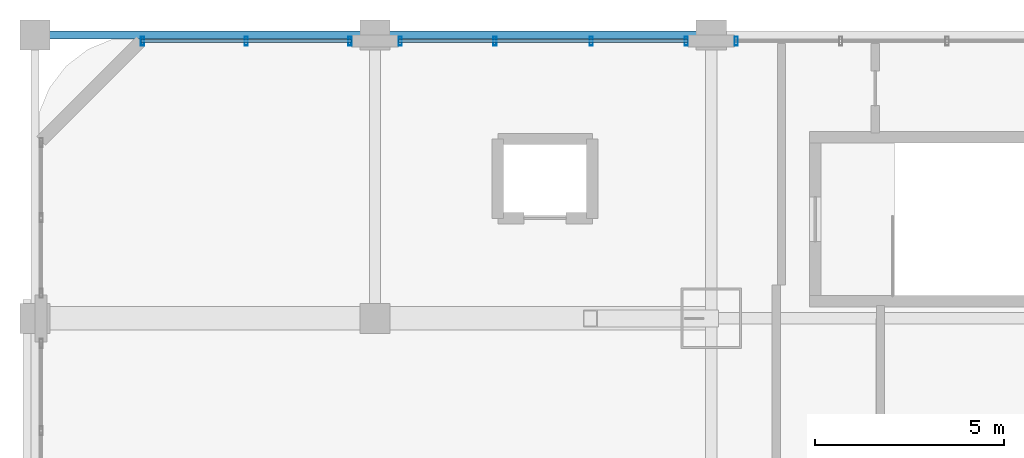
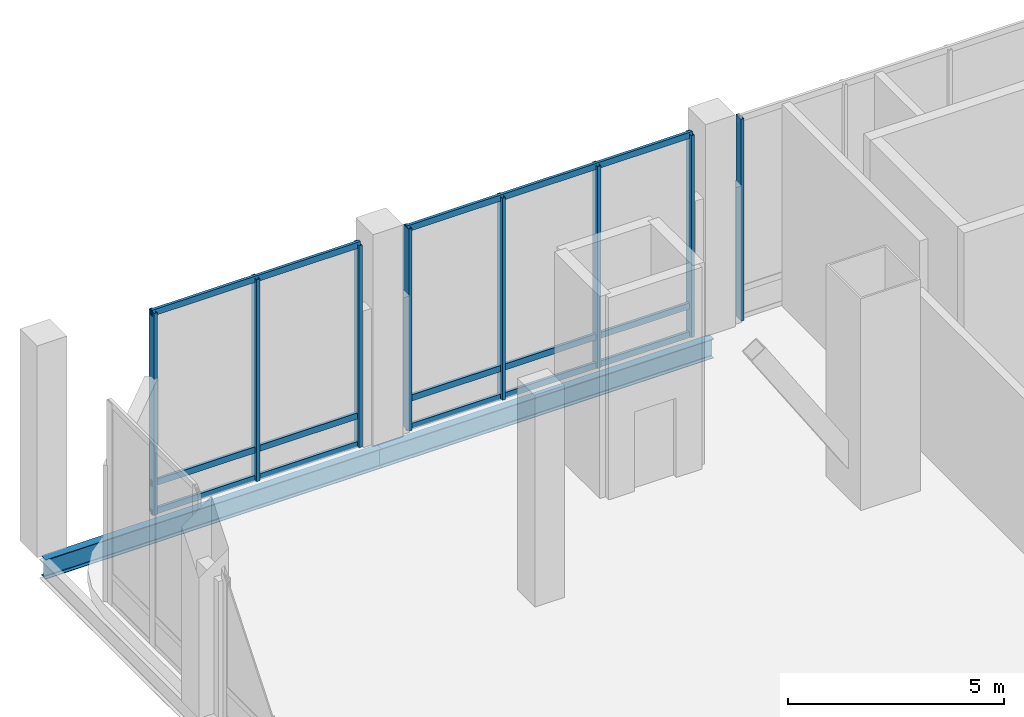
# One storey, part 13 of 38: 14 members, 2 beams, 3 elements without a shape of their own.
"""IFC4 building model written with IfcOpenShell, lengths in metres."""

from ifc_helpers import new_model, si_unit, direction, frame, origin, origin_2d, place, context, subcontext, project, spatial, hollow_rectangle, i_section, extrude, material, material_profile, profile_set, type_object, element, aggregate, save


model = new_model("IFC4")

# Units and contexts
model_context = context("Model", 3, precision=1e-05, world=origin(), true_north=direction((0.0, 1.0)))
body_context = subcontext(model_context, "Body", "Model", "MODEL_VIEW")
ifc_project = project(units=[si_unit("LENGTHUNIT", "METRE"), si_unit("AREAUNIT", "SQUARE_METRE"), si_unit("VOLUMEUNIT", "CUBIC_METRE"), si_unit("PLANEANGLEUNIT", "RADIAN"), si_unit("MASSUNIT", "GRAM", prefix="KILO")], contexts=[model_context])

# Site, building, storey
site_placement = place(None, origin())
site = spatial("IfcSite", under=ifc_project, at=site_placement, CompositionType="ELEMENT")
building_placement = place(site_placement, origin())
building = spatial("IfcBuilding", under=site, at=building_placement, Name="Punatoya Terracotta Tower", CompositionType="ELEMENT")
storey_placement = place(building_placement, frame((0.0, 0.0, 22.199951171875)))
storey = spatial("IfcBuildingStorey", under=building, at=storey_placement, Name="L04", CompositionType="ELEMENT", Elevation=22.199951171875)

# Beams
ifc_material_1 = material(Name="Steel S355", Category="steel")
ifc_material_profile_1 = material_profile(ifc_material_1, i_section(OverallWidth=0.2099609375, OverallDepth=0.550048828125, WebThickness=0.010986328125, FlangeThickness=0.01708984375, FilletRadius=0.01806640625, at=origin_2d()))
ifc_profile_set_1 = profile_set([ifc_material_profile_1], Name="Steel S355")
beam_type = type_object("IfcBeamType", Name="BM-SPN-550", PredefinedType="SPANDREL", material=ifc_profile_set_1)
beam_1_placement = place(storey_placement, frame((-37.0, 25.0, -0.655029296875), z_axis=(1.0, 0.0, 0.0), x_axis=(0.0, 1.0, 0.0)))
element("IfcBeam", 1, at=beam_1_placement, inside=storey, type_object=beam_type, Name="BM-L04-HW1", PredefinedType="SPANDREL", context=body_context, shape_type="SweptSolid", body=[
    extrude(i_section(OverallWidth=0.2099609375, OverallDepth=0.550048828125, WebThickness=0.010986328125, FlangeThickness=0.01708984375, FilletRadius=0.01806640625, at=origin_2d()), origin(), (0.0, 0.0, 1.0), 9.0),
])
beam_2_placement = place(storey_placement, frame((-28.0, 25.0, -0.655029296875), z_axis=(1.0, 0.0, 0.0), x_axis=(0.0, 1.0, 0.0)))
element("IfcBeam", 2, at=beam_2_placement, inside=storey, type_object=beam_type, Name="BM-L04-HW2", PredefinedType="SPANDREL", context=body_context, shape_type="SweptSolid", body=[
    extrude(i_section(OverallWidth=0.2099609375, OverallDepth=0.550048828125, WebThickness=0.010986328125, FlangeThickness=0.01708984375, FilletRadius=0.01806640625, at=origin_2d()), origin(), (0.0, 0.0, 1.0), 8.89990234375),
])

# Curtain wall, members
ifc_material_2 = material(Name="Aluminium 6063-T6 + Double Low-E Glass", Category="aluminium")
curtain_wall_type = type_object("IfcCurtainWallType", Name="CW-POD", PredefinedType="NOTDEFINED", material=ifc_material_2)
curtain_wall_1_placement = place(storey_placement, origin())
curtain_wall_1 = element("IfcCurtainWall", 3, at=curtain_wall_1_placement, inside=storey, type_object=curtain_wall_type, Name="L04 Curtain Wall CWP-L04-N1", PredefinedType="NOTDEFINED")
ifc_material_3 = material(Name="Aluminium 6063-T6", Category="aluminium")
ifc_material_profile_2 = material_profile(ifc_material_3, hollow_rectangle(XDim=0.0849609375, YDim=0.239990234375, WallThickness=0.0048828125, at=origin_2d()))
ifc_profile_set_2 = profile_set([ifc_material_profile_2], Name="Aluminium 6063-T6")
member_type_1 = type_object("IfcMemberType", Name="CW-MUL-POD", PredefinedType="MULLION", material=ifc_profile_set_2)
member_1_placement = place(storey_placement, frame((-28.6650390625, 24.840087890625, 0.0), z_axis=(0.0, 0.0, 1.0), x_axis=(1.0, 0.0, 0.0)))
member_1 = element("IfcMember", 4, at=member_1_placement, type_object=member_type_1, Name="CWP-L04-N1 Mullion 00", PredefinedType="MULLION", context=body_context, shape_type="SweptSolid", body=[
    extrude(hollow_rectangle(XDim=0.0849609375, YDim=0.239990234375, WallThickness=0.0048828125, at=origin_2d()), origin(), (0.0, 0.0, 1.0), 5.719970703125),
])
member_2_placement = place(storey_placement, frame((-31.409912109375, 24.840087890625, 0.0), z_axis=(0.0, 0.0, 1.0), x_axis=(1.0, 0.0, 0.0)))
member_2 = element("IfcMember", 5, at=member_2_placement, type_object=member_type_1, Name="CWP-L04-N1 Mullion 01", PredefinedType="MULLION", context=body_context, shape_type="SweptSolid", body=[
    extrude(hollow_rectangle(XDim=0.0849609375, YDim=0.239990234375, WallThickness=0.0048828125, at=origin_2d()), origin(), (0.0, 0.0, 1.0), 5.719970703125),
])
member_3_placement = place(storey_placement, frame((-34.155029296875, 24.840087890625, 0.0), z_axis=(0.0, 0.0, 1.0), x_axis=(1.0, 0.0, 0.0)))
member_3 = element("IfcMember", 6, at=member_3_placement, type_object=member_type_1, Name="CWP-L04-N1 Mullion 02", PredefinedType="MULLION", context=body_context, shape_type="SweptSolid", body=[
    extrude(hollow_rectangle(XDim=0.0849609375, YDim=0.239990234375, WallThickness=0.0048828125, at=origin_2d()), origin(), (0.0, 0.0, 1.0), 5.719970703125),
])

curtain_wall_2_placement = place(storey_placement, origin())
curtain_wall_2 = element("IfcCurtainWall", 7, at=curtain_wall_2_placement, inside=storey, type_object=curtain_wall_type, Name="L04 Curtain Wall CWP-L04-N2", PredefinedType="NOTDEFINED")
member_4_placement = place(storey_placement, frame((-19.764892578125, 24.840087890625, 0.0), z_axis=(0.0, 0.0, 1.0), x_axis=(1.0, 0.0, 0.0)))
member_4 = element("IfcMember", 8, at=member_4_placement, type_object=member_type_1, Name="CWP-L04-N2 Mullion 00", PredefinedType="MULLION", context=body_context, shape_type="SweptSolid", body=[
    extrude(hollow_rectangle(XDim=0.0849609375, YDim=0.239990234375, WallThickness=0.0048828125, at=origin_2d()), origin(), (0.0, 0.0, 1.0), 5.719970703125),
])
member_5_placement = place(storey_placement, frame((-22.273193359375, 24.840087890625, 0.0), z_axis=(0.0, 0.0, 1.0), x_axis=(1.0, 0.0, 0.0)))
member_5 = element("IfcMember", 9, at=member_5_placement, type_object=member_type_1, Name="CWP-L04-N2 Mullion 01", PredefinedType="MULLION", context=body_context, shape_type="SweptSolid", body=[
    extrude(hollow_rectangle(XDim=0.0849609375, YDim=0.239990234375, WallThickness=0.0048828125, at=origin_2d()), origin(), (0.0, 0.0, 1.0), 5.719970703125),
])
member_6_placement = place(storey_placement, frame((-24.82666015625, 24.840087890625, 0.0), z_axis=(0.0, 0.0, 1.0), x_axis=(1.0, 0.0, 0.0)))
member_6 = element("IfcMember", 10, at=member_6_placement, type_object=member_type_1, Name="CWP-L04-N2 Mullion 02", PredefinedType="MULLION", context=body_context, shape_type="SweptSolid", body=[
    extrude(hollow_rectangle(XDim=0.0849609375, YDim=0.239990234375, WallThickness=0.0048828125, at=origin_2d()), origin(), (0.0, 0.0, 1.0), 5.719970703125),
])
member_7_placement = place(storey_placement, frame((-27.3349609375, 24.840087890625, 0.0), z_axis=(0.0, 0.0, 1.0), x_axis=(1.0, 0.0, 0.0)))
member_7 = element("IfcMember", 11, at=member_7_placement, type_object=member_type_1, Name="CWP-L04-N2 Mullion 03", PredefinedType="MULLION", context=body_context, shape_type="SweptSolid", body=[
    extrude(hollow_rectangle(XDim=0.0849609375, YDim=0.239990234375, WallThickness=0.0048828125, at=origin_2d()), origin(), (0.0, 0.0, 1.0), 5.719970703125),
])

# Curtain wall, member
curtain_wall_3_placement = place(storey_placement, origin())
curtain_wall_3 = element("IfcCurtainWall", 12, at=curtain_wall_3_placement, inside=storey, type_object=curtain_wall_type, Name="L04 Curtain Wall CWP-L04-N3", PredefinedType="NOTDEFINED")
member_8_placement = place(storey_placement, frame((-18.43505859375, 24.840087890625, 0.0), z_axis=(0.0, 0.0, 1.0), x_axis=(1.0, 0.0, 0.0)))
member_8 = element("IfcMember", 13, at=member_8_placement, type_object=member_type_1, Name="CWP-L04-N3 Mullion 05", PredefinedType="MULLION", context=body_context, shape_type="SweptSolid", body=[
    extrude(hollow_rectangle(XDim=0.0849609375, YDim=0.239990234375, WallThickness=0.0048828125, at=origin_2d()), origin(), (0.0, 0.0, 1.0), 5.719970703125),
])
aggregate(curtain_wall_3, [member_8])

# Member
ifc_material_profile_3 = material_profile(ifc_material_3, hollow_rectangle(XDim=0.074951171875, YDim=0.175048828125, WallThickness=0.00439453125, at=origin_2d()))
ifc_profile_set_3 = profile_set([ifc_material_profile_3], Name="Aluminium 6063-T6")
member_type_2 = type_object("IfcMemberType", Name="CW-TRN-POD", PredefinedType="USERDEFINED", material=ifc_profile_set_3)
member_9_placement = place(storey_placement, frame((-28.6201171875, 24.840087890625, 0.0400390625), z_axis=(-1.0, 0.0, 0.0), x_axis=(0.0, -1.0, 0.0)))
member_9 = element("IfcMember", 14, at=member_9_placement, type_object=member_type_2, Name="CWP-L04-N1 Transom 1", ObjectType="TRANSOM", PredefinedType="USERDEFINED", context=body_context, shape_type="SweptSolid", body=[
    extrude(hollow_rectangle(XDim=0.074951171875, YDim=0.175048828125, WallThickness=0.00439453125, at=origin_2d()), origin(), (0.0, 0.0, 1.0), 5.579833984375),
])

member_10_placement = place(storey_placement, frame((-28.6201171875, 24.840087890625, 0.85009765625), z_axis=(-1.0, 0.0, 0.0), x_axis=(0.0, -1.0, 0.0)))
member_10 = element("IfcMember", 15, at=member_10_placement, type_object=member_type_2, Name="CWP-L04-N1 Transom 2", ObjectType="TRANSOM", PredefinedType="USERDEFINED", context=body_context, shape_type="SweptSolid", body=[
    extrude(hollow_rectangle(XDim=0.074951171875, YDim=0.175048828125, WallThickness=0.00439453125, at=origin_2d()), origin(), (0.0, 0.0, 1.0), 5.579833984375),
])

member_11_placement = place(storey_placement, frame((-28.6201171875, 24.840087890625, 5.679931640625), z_axis=(-1.0, 0.0, 0.0), x_axis=(0.0, -1.0, 0.0)))
member_11 = element("IfcMember", 16, at=member_11_placement, type_object=member_type_2, Name="CWP-L04-N1 Transom 3", ObjectType="TRANSOM", PredefinedType="USERDEFINED", context=body_context, shape_type="SweptSolid", body=[
    extrude(hollow_rectangle(XDim=0.074951171875, YDim=0.175048828125, WallThickness=0.00439453125, at=origin_2d()), origin(), (0.0, 0.0, 1.0), 5.579833984375),
])

aggregate(curtain_wall_1, [member_1, member_2, member_3, member_9, member_10, member_11])

member_12_placement = place(storey_placement, frame((-19.719970703125, 24.840087890625, 0.0400390625), z_axis=(-1.0, 0.0, 0.0), x_axis=(0.0, -1.0, 0.0)))
member_12 = element("IfcMember", 17, at=member_12_placement, type_object=member_type_2, Name="CWP-L04-N2 Transom 1", ObjectType="TRANSOM", PredefinedType="USERDEFINED", context=body_context, shape_type="SweptSolid", body=[
    extrude(hollow_rectangle(XDim=0.074951171875, YDim=0.175048828125, WallThickness=0.00439453125, at=origin_2d()), origin(), (0.0, 0.0, 1.0), 7.659912109375),
])

member_13_placement = place(storey_placement, frame((-19.719970703125, 24.840087890625, 0.85009765625), z_axis=(-1.0, 0.0, 0.0), x_axis=(0.0, -1.0, 0.0)))
member_13 = element("IfcMember", 18, at=member_13_placement, type_object=member_type_2, Name="CWP-L04-N2 Transom 2", ObjectType="TRANSOM", PredefinedType="USERDEFINED", context=body_context, shape_type="SweptSolid", body=[
    extrude(hollow_rectangle(XDim=0.074951171875, YDim=0.175048828125, WallThickness=0.00439453125, at=origin_2d()), origin(), (0.0, 0.0, 1.0), 7.659912109375),
])

member_14_placement = place(storey_placement, frame((-19.719970703125, 24.840087890625, 5.679931640625), z_axis=(-1.0, 0.0, 0.0), x_axis=(0.0, -1.0, 0.0)))
member_14 = element("IfcMember", 19, at=member_14_placement, type_object=member_type_2, Name="CWP-L04-N2 Transom 3", ObjectType="TRANSOM", PredefinedType="USERDEFINED", context=body_context, shape_type="SweptSolid", body=[
    extrude(hollow_rectangle(XDim=0.074951171875, YDim=0.175048828125, WallThickness=0.00439453125, at=origin_2d()), origin(), (0.0, 0.0, 1.0), 7.659912109375),
])

aggregate(curtain_wall_2, [member_4, member_5, member_6, member_7, member_12, member_13, member_14])

save(model, "model.ifc")
